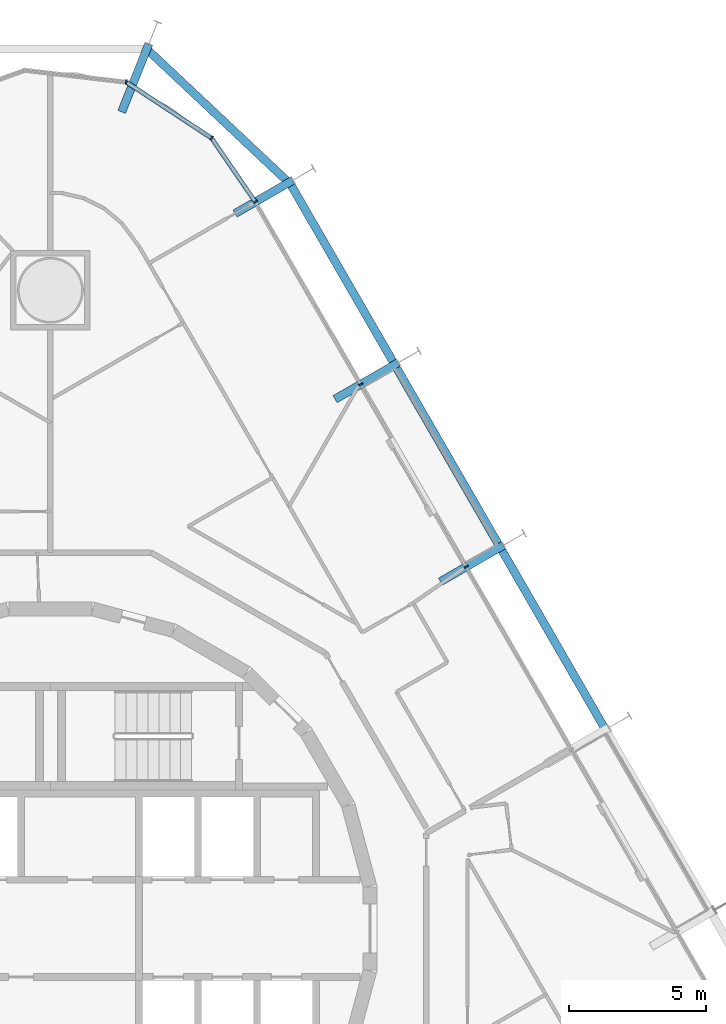
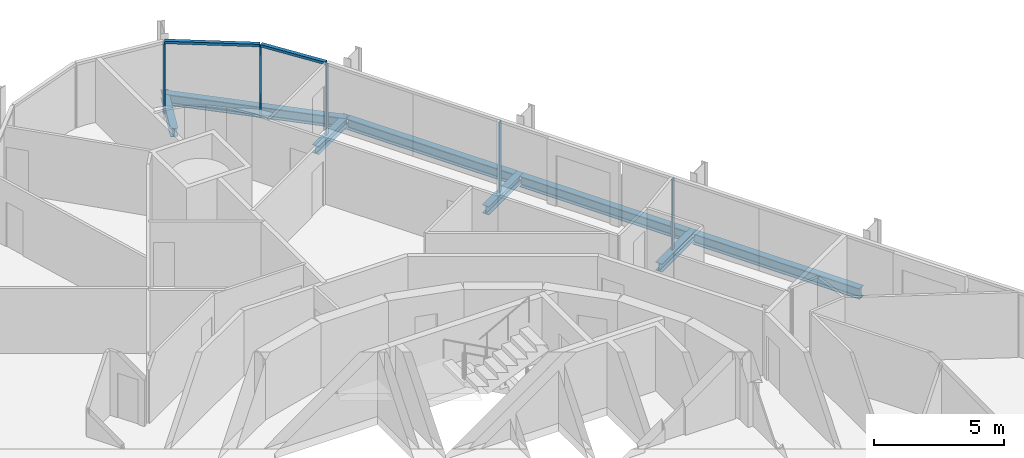
# One storey, part 10 of 20: 8 beams, 7 members, 2 elements without a shape of their own.
"""IFC4 building model written with IfcOpenShell, lengths in metres."""

from ifc_helpers import new_model, si_unit, direction, frame, origin, origin_2d, place, context, subcontext, project, spatial, rectangle, i_section, extrude, material, layer, layer_set, material_profile, profile_set, type_object, element, aggregate, save


model = new_model("IFC4")

# Units and contexts
model_context = context("Model", 3, precision=1e-05, world=origin(), true_north=direction((0.0, 1.0)))
body_context = subcontext(model_context, "Body", "Model", "MODEL_VIEW")
ifc_project = project(units=[si_unit("LENGTHUNIT", "METRE"), si_unit("AREAUNIT", "SQUARE_METRE"), si_unit("VOLUMEUNIT", "CUBIC_METRE"), si_unit("PLANEANGLEUNIT", "RADIAN"), si_unit("MASSUNIT", "GRAM", prefix="KILO")], contexts=[model_context])

# Site, building, storey
site_placement = place(None, origin())
site = spatial("IfcSite", under=ifc_project, at=site_placement, CompositionType="ELEMENT")
building_placement = place(site_placement, origin())
building = spatial("IfcBuilding", under=site, at=building_placement, Name="Spindle Arch Residences", CompositionType="ELEMENT")
storey_placement = place(building_placement, frame((0.0, 0.0, 66.39990234375)))
storey = spatial("IfcBuildingStorey", under=building, at=storey_placement, Name="L15", CompositionType="ELEMENT", Elevation=66.39990234375)

# Curtain wall, members
ifc_material_1 = material(Name="Aluminium bronze unitised frame with tinted glass", Category="aluminium")
ifc_layer_1 = layer(ifc_material_1, 0.159912109375)
ifc_layer_set_1 = layer_set([ifc_layer_1], Name="CW-C typical residential unitised wall")
curtain_wall_type_1 = type_object("IfcCurtainWallType", Name="CW-C typical residential unitised wall", PredefinedType="NOTDEFINED", material=ifc_layer_set_1)
curtain_wall_1_placement = place(storey_placement, origin())
curtain_wall_1 = element("IfcCurtainWall", 1, at=curtain_wall_1_placement, inside=storey, type_object=curtain_wall_type_1, Name="CW-C L15 run 2", PredefinedType="NOTDEFINED")
ifc_material_2 = material(Name="Aluminium bronze anodised mullion", Category="aluminium")
ifc_material_profile_1 = material_profile(ifc_material_2, rectangle(XDim=0.159912109375, YDim=0.06005859375, at=origin_2d()), Name="MU 60x160")
ifc_profile_set_1 = profile_set([ifc_material_profile_1], Name="Aluminium bronze anodised mullion")
member_type_1 = type_object("IfcMemberType", Name="Bronze mullion 60x160", PredefinedType="MULLION", material=ifc_profile_set_1)
member_1_placement = place(storey_placement, frame((15.149169921875, 13.180419921875, -0.3798828125), z_axis=(0.0, 0.0, 1.0), x_axis=(-0.866025403784, -0.5, 0.0)))
member_1 = element("IfcMember", 2, at=member_1_placement, type_object=member_type_1, Name="CW-C mullion 08", PredefinedType="MULLION", context=body_context, shape_type="SweptSolid", body=[
    extrude(rectangle(XDim=0.159912109375, YDim=0.06005859375, at=origin_2d()), origin(), (0.0, 0.0, 1.0), 3.31005859375),
])
member_2_placement = place(storey_placement, frame((11.309326171875, 19.83154296875, -0.3798828125), z_axis=(0.0, 0.0, 1.0), x_axis=(-0.866025403784, -0.5, 0.0)))
member_2 = element("IfcMember", 3, at=member_2_placement, type_object=member_type_1, Name="CW-C mullion 09", PredefinedType="MULLION", context=body_context, shape_type="SweptSolid", body=[
    extrude(rectangle(XDim=0.159912109375, YDim=0.06005859375, at=origin_2d()), origin(), (0.0, 0.0, 1.0), 3.31005859375),
])
aggregate(curtain_wall_1, [member_1, member_2])

ifc_material_3 = material(Name="Aluminium bronze unitised frame with tinted glass", Category="aluminium")
ifc_layer_2 = layer(ifc_material_3, 0.159912109375)
ifc_layer_set_2 = layer_set([ifc_layer_2], Name="CW-D corner wall on the fillet arcs")
curtain_wall_type_2 = type_object("IfcCurtainWallType", Name="CW-D corner wall on the fillet arcs", PredefinedType="NOTDEFINED", material=ifc_layer_set_2)
curtain_wall_2_placement = place(storey_placement, origin())
curtain_wall_2 = element("IfcCurtainWall", 4, at=curtain_wall_2_placement, inside=storey, type_object=curtain_wall_type_2, Name="CW-D L15 run 3", PredefinedType="NOTDEFINED")
member_3_placement = place(storey_placement, frame((7.46923828125, 26.48291015625, -0.3798828125), z_axis=(0.0, 0.0, 1.0), x_axis=(-0.824747802142, -0.565500718711, 0.0)))
member_3 = element("IfcMember", 5, at=member_3_placement, type_object=member_type_1, Name="CW-D mullion 00", PredefinedType="MULLION", context=body_context, shape_type="SweptSolid", body=[
    extrude(rectangle(XDim=0.159912109375, YDim=0.06005859375, at=origin_2d()), origin(), (0.0, 0.0, 1.0), 3.31005859375),
])
member_4_placement = place(storey_placement, frame((5.877197265625, 28.8046875, -0.3798828125), z_axis=(0.0, 0.0, 1.0), x_axis=(-0.549508977628, -0.835487811704, 0.0)))
member_4 = element("IfcMember", 6, at=member_4_placement, type_object=member_type_1, Name="CW-D mullion 01", PredefinedType="MULLION", context=body_context, shape_type="SweptSolid", body=[
    extrude(rectangle(XDim=0.159912109375, YDim=0.06005859375, at=origin_2d()), origin(), (0.0, 0.0, 1.0), 3.31005859375),
])
member_5_placement = place(storey_placement, frame((2.763427734375, 30.8525390625, -0.3798828125), z_axis=(0.0, 0.0, 1.0), x_axis=(-0.116092915414, -0.993238357591, 0.0)))
member_5 = element("IfcMember", 7, at=member_5_placement, type_object=member_type_1, Name="CW-D mullion 02", PredefinedType="MULLION", context=body_context, shape_type="SweptSolid", body=[
    extrude(rectangle(XDim=0.159912109375, YDim=0.06005859375, at=origin_2d()), origin(), (0.0, 0.0, 1.0), 3.31005859375),
])
ifc_material_4 = material(Name="Aluminium bronze anodised transom", Category="aluminium")
ifc_material_profile_2 = material_profile(ifc_material_4, rectangle(XDim=0.159912109375, YDim=0.1201171875, at=origin_2d()), Name="TR 120x160")
ifc_profile_set_2 = profile_set([ifc_material_profile_2], Name="Aluminium bronze anodised transom")
member_type_2 = type_object("IfcMemberType", Name="Bronze transom 120x160", PredefinedType="USERDEFINED", material=ifc_profile_set_2)
member_6_placement = place(storey_placement, frame((7.4521484375, 26.507568359375, 2.989990234375), z_axis=(-0.565490471855, 0.824754827958, 0.0), x_axis=(-0.824754827958, -0.565490471855, 0.0)))
member_6 = element("IfcMember", 8, at=member_6_placement, type_object=member_type_2, Name="CW-D transom 00", ObjectType="TRANSOM", PredefinedType="USERDEFINED", context=body_context, shape_type="SweptSolid", body=[
    extrude(rectangle(XDim=0.159912109375, YDim=0.1201171875, at=origin_2d()), origin(), (0.0, 0.0, 1.0), 2.75537109375),
])
member_7_placement = place(storey_placement, frame((5.85205078125, 28.821044921875, 2.989990234375), z_axis=(-0.835486265536, 0.549511328456, 0.0), x_axis=(-0.549511328456, -0.835486265536, 0.0)))
member_7 = element("IfcMember", 9, at=member_7_placement, type_object=member_type_2, Name="CW-D transom 01", ObjectType="TRANSOM", PredefinedType="USERDEFINED", context=body_context, shape_type="SweptSolid", body=[
    extrude(rectangle(XDim=0.159912109375, YDim=0.1201171875, at=origin_2d()), origin(), (0.0, 0.0, 1.0), 3.666748046875),
])
aggregate(curtain_wall_2, [member_3, member_6, member_4, member_7, member_5])

# Beams
ifc_material_5 = material(Name="Steel S460ML, intumescent coating R 120", Category="steel")
ifc_material_profile_3 = material_profile(ifc_material_5, i_section(OverallWidth=0.300048828125, OverallDepth=0.5, WebThickness=0.014404296875, FlangeThickness=0.028076171875, FilletRadius=0.027099609375, at=origin_2d()), Name="HEB 500")
ifc_profile_set_3 = profile_set([ifc_material_profile_3], Name="Steel S460ML, intumescent coating R 120")
beam_type_1 = type_object("IfcBeamType", Name="Exoskeleton edge beam HEB 500", PredefinedType="BEAM", material=ifc_profile_set_3)
for number, where, z_axis, x_axis, name in (
    (10, (20.165283203125, 7.3583984375, -0.6298828125), (-0.5000139068, 0.866017374541, 0.0), (-0.866017374541, -0.5000139068, 0.0), "Exoskeleton edge beam 8"),
    (11, (16.3251953125, 14.009521484375, -0.6298828125), (-0.49998923004, 0.866031621735, 0.0), (-0.866031621735, -0.49998923004, 0.0), "Exoskeleton edge beam 9"),
):
    element("IfcBeam", number, at=place(storey_placement, frame(where, z_axis=z_axis, x_axis=x_axis)), inside=storey, type_object=beam_type_1, Name=name, PredefinedType="BEAM", context=body_context, shape_type="SweptSolid", body=[
        extrude(i_section(OverallWidth=0.300048828125, OverallDepth=0.5, WebThickness=0.014404296875, FlangeThickness=0.028076171875, FilletRadius=0.027099609375, at=origin_2d()), origin(), (0.0, 0.0, 1.0), 7.420166015625),
    ])
beam_1_placement = place(storey_placement, frame((12.485107421875, 20.660888671875, -0.6298828125), z_axis=(-0.500003477455, 0.866023396066, 0.0), x_axis=(-0.866023396066, -0.500003477455, 0.0)))
element("IfcBeam", 12, at=beam_1_placement, inside=storey, type_object=beam_type_1, Name="Exoskeleton edge beam 10", PredefinedType="BEAM", context=body_context, shape_type="SweptSolid", body=[
    extrude(i_section(OverallWidth=0.300048828125, OverallDepth=0.5, WebThickness=0.014404296875, FlangeThickness=0.028076171875, FilletRadius=0.027099609375, at=origin_2d()), origin(), (0.0, 0.0, 1.0), 7.419921875),
])
beam_2_placement = place(storey_placement, frame((8.739501953125, 27.13818359375, -0.6298828125), z_axis=(-0.728394714383, 0.685157748303, 0.0), x_axis=(-0.685157748303, -0.728394714383, 0.0)))
element("IfcBeam", 13, at=beam_2_placement, inside=storey, type_object=beam_type_1, Name="Exoskeleton edge beam 11", PredefinedType="BEAM", context=body_context, shape_type="SweptSolid", body=[
    extrude(i_section(OverallWidth=0.300048828125, OverallDepth=0.5, WebThickness=0.014404296875, FlangeThickness=0.028076171875, FilletRadius=0.027099609375, at=origin_2d()), origin(), (0.0, 0.0, 1.0), 7.250244140625),
])
ifc_material_6 = material(Name="Steel S460ML, intumescent coating R 120", Category="steel")
ifc_material_profile_4 = material_profile(ifc_material_6, i_section(OverallWidth=0.300048828125, OverallDepth=0.389892578125, WebThickness=0.010986328125, FlangeThickness=0.01904296875, FilletRadius=0.027099609375, at=origin_2d()), Name="HEA 400")
ifc_profile_set_4 = profile_set([ifc_material_profile_4], Name="Steel S460ML, intumescent coating R 120")
beam_type_2 = type_object("IfcBeamType", Name="Floor outrigger HEA 400", PredefinedType="BEAM", material=ifc_profile_set_4)
for number, where, z_axis, x_axis, name in (
    (14, (16.5087890625, 13.965576171875, -0.574951171875), (-0.865989200783, -0.500062700197, 0.0), (0.500062700197, -0.865989200783, 0.0), "Floor outrigger 9"),
    (15, (12.6689453125, 20.61669921875, -0.574951171875), (-0.866052124492, -0.499953715521, 0.0), (0.499953715521, -0.866052124492, 0.0), "Floor outrigger 10"),
):
    element("IfcBeam", number, at=place(storey_placement, frame(where, z_axis=z_axis, x_axis=x_axis)), inside=storey, type_object=beam_type_2, Name=name, PredefinedType="BEAM", context=body_context, shape_type="SweptSolid", body=[
        extrude(i_section(OverallWidth=0.300048828125, OverallDepth=0.389892578125, WebThickness=0.010986328125, FlangeThickness=0.01904296875, FilletRadius=0.027099609375, at=origin_2d()), origin(), (0.0, 0.0, 1.0), 2.650146484375),
    ])
beam_3_placement = place(storey_placement, frame((8.828857421875, 27.267822265625, -0.574951171875), z_axis=(-0.866002732682, -0.500039265445, 0.0), x_axis=(0.500039265445, -0.866002732682, 0.0)))
element("IfcBeam", 16, at=beam_3_placement, inside=storey, type_object=beam_type_2, Name="Floor outrigger 11", PredefinedType="BEAM", context=body_context, shape_type="SweptSolid", body=[
    extrude(i_section(OverallWidth=0.300048828125, OverallDepth=0.389892578125, WebThickness=0.010986328125, FlangeThickness=0.01904296875, FilletRadius=0.027099609375, at=origin_2d()), origin(), (0.0, 0.0, 1.0), 2.423583984375),
])
beam_4_placement = place(storey_placement, frame((3.581298828125, 32.220703125, -0.574951171875), z_axis=(-0.371104734129, -0.928591016706, 0.0), x_axis=(0.928591016706, -0.371104734129, 0.0)))
element("IfcBeam", 17, at=beam_4_placement, inside=storey, type_object=beam_type_2, Name="Floor outrigger 12", PredefinedType="BEAM", context=body_context, shape_type="SweptSolid", body=[
    extrude(i_section(OverallWidth=0.300048828125, OverallDepth=0.389892578125, WebThickness=0.010986328125, FlangeThickness=0.01904296875, FilletRadius=0.027099609375, at=origin_2d()), origin(), (0.0, 0.0, 1.0), 2.64990234375),
])

save(model, "model.ifc")
